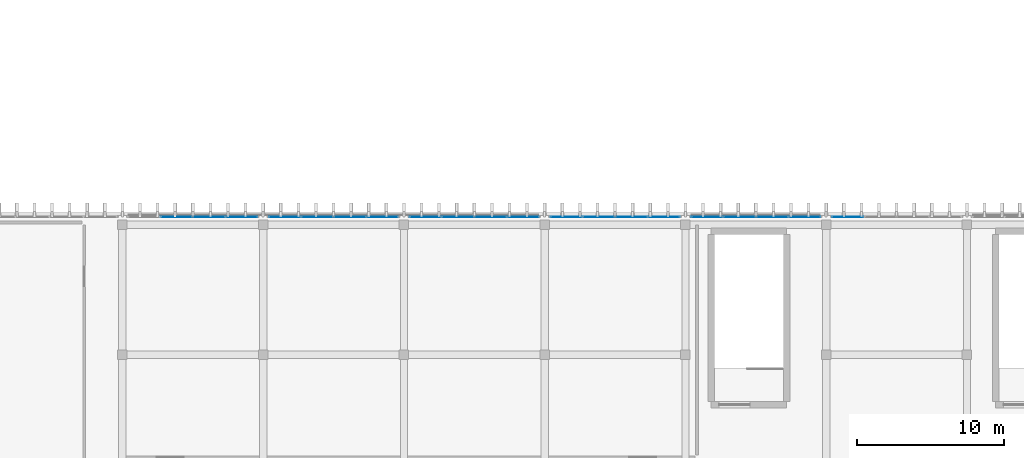
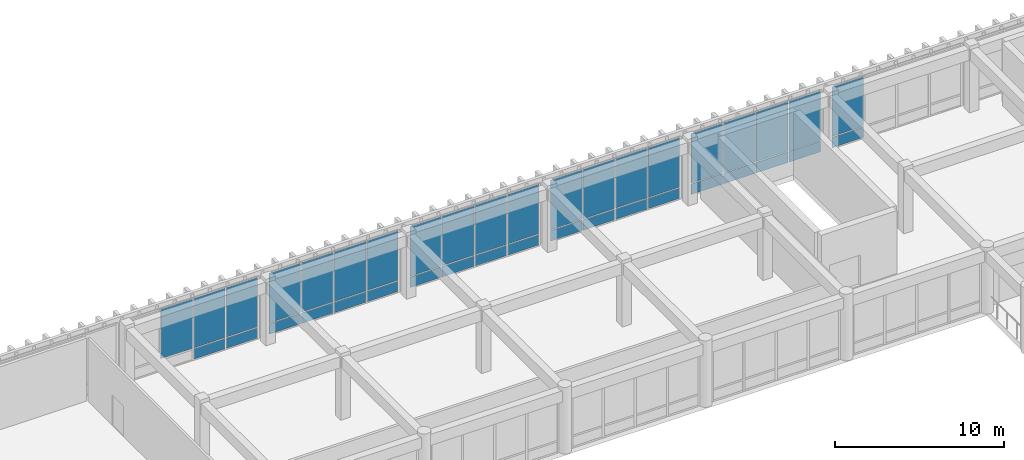
# One storey, part 66 of 101: 39 plates, 6 elements without a shape of their own.
"""IFC4 building model written with IfcOpenShell, lengths in metres."""

import ifcopenshell
import ifcopenshell.guid

model = None  # the IFC model being written
_history = None  # IfcOwnerHistory: only IFC2X3 demands one
_inside = {}  # id of a spatial element -> (the spatial element, [elements in it])
_under = {}  # id of a project, library or spatial element -> (it, [spatial elements below it])
_declared = {}  # id of a project -> (the project, [libraries it declares])
_typed = {}  # id of a type object -> (the type object, [elements of that type])
_made_of = {}  # id of a material, layer set ... -> (it, [elements and type objects made of it])


def new_model(schema):
    """Start an empty IFC model of exactly this schema.

    Asked for "IFC4X3", IfcOpenShell would pick the latest addendum, in which some entities
    have other attributes; the version numbers below select the first issue.
    IFC2X3 requires an IfcOwnerHistory on every rooted entity: one is made here for all.
    """
    global model, _history
    if schema == "IFC4X3":
        model = ifcopenshell.file(schema_version=(4, 3, 0, 0))
    else:
        model = ifcopenshell.file(schema=schema)
    _inside.clear()
    _under.clear()
    _declared.clear()
    _typed.clear()
    _made_of.clear()
    _history = None
    if model.schema == "IFC2X3":
        org = make("IfcOrganization", Name="unknown")
        user = make(
            "IfcPersonAndOrganization",
            ThePerson=make("IfcPerson", FamilyName="unknown"),
            TheOrganization=org,
        )
        app = make(
            "IfcApplication",
            ApplicationDeveloper=org,
            Version="unknown",
            ApplicationFullName="unknown",
            ApplicationIdentifier="unknown",
        )
        _history = make(
            "IfcOwnerHistory",
            OwningUser=user,
            OwningApplication=app,
            ChangeAction="ADDED",
            CreationDate=0,
        )
    return model


def make(cls, **values):
    """One entity of the class cls with the attributes given. An attribute that is None is left unset."""
    return model.create_entity(
        cls, **{name: value for name, value in values.items() if value is not None}
    )


def rooted(cls, **values):
    """An entity with a GlobalId (a new one), such as an element, a storey or a relation."""
    return make(cls, GlobalId=ifcopenshell.guid.new(), OwnerHistory=_history, **values)


def si_unit(unit_type, name, prefix=None):
    """IfcSIUnit, for example si_unit("LENGTHUNIT", "METRE", prefix="MILLI")."""
    return make("IfcSIUnit", UnitType=unit_type, Prefix=prefix, Name=name)


def assignment(units):
    """IfcUnitAssignment: the units of a project."""
    return None if units is None else make("IfcUnitAssignment", Units=units)


def point(xyz):
    """IfcCartesianPoint."""
    return None if xyz is None else make("IfcCartesianPoint", Coordinates=xyz)


def direction(xyz):
    """IfcDirection."""
    return None if xyz is None else make("IfcDirection", DirectionRatios=xyz)


def frame(location, z_axis=None, x_axis=None):
    """IfcAxis2Placement3D, a coordinate frame: its origin and axes. An axis left out is left unset."""
    return make(
        "IfcAxis2Placement3D",
        Location=point(location),
        Axis=direction(z_axis),
        RefDirection=direction(x_axis),
    )


def frame_2d(location, x_axis=None):
    """IfcAxis2Placement2D, a coordinate frame in the plane: its origin and x axis."""
    return make(
        "IfcAxis2Placement2D", Location=point(location), RefDirection=direction(x_axis)
    )


def origin():
    """The frame at (0, 0, 0) with its axes left unset."""
    return frame((0.0, 0.0, 0.0))


def origin_2d():
    """The frame at (0, 0) in the plane with its x axis left unset."""
    return frame_2d((0.0, 0.0))


def place(relative_to, where):
    """IfcLocalPlacement: puts the frame where relative to a parent placement (None: the world)."""
    return make(
        "IfcLocalPlacement", PlacementRelTo=relative_to, RelativePlacement=where
    )


def context(
    kind, dimensions, precision=None, world=None, true_north=None, identifier=None
):
    """IfcGeometricRepresentationContext, for example the 3D "Model" context."""
    return make(
        "IfcGeometricRepresentationContext",
        ContextIdentifier=identifier,
        ContextType=kind,
        CoordinateSpaceDimension=dimensions,
        Precision=precision,
        WorldCoordinateSystem=world,
        TrueNorth=true_north,
    )


def subcontext(parent, identifier, kind, view, scale=None):
    """IfcGeometricRepresentationSubContext, for example "Body" below "Model"."""
    return make(
        "IfcGeometricRepresentationSubContext",
        ContextIdentifier=identifier,
        ContextType=kind,
        ParentContext=parent,
        TargetScale=scale,
        TargetView=view,
    )


def project(units=None, contexts=None):
    """IfcProject with its units and contexts."""
    return rooted(
        "IfcProject",
        Name="project",
        RepresentationContexts=contexts,
        UnitsInContext=assignment(units),
    )


def spatial(cls, under=None, at=None, **own):
    """A site, building, storey or space (cls), placed at a placement, below another one or the project."""
    s = rooted(cls, ObjectPlacement=at, **own)
    if under is not None:
        _under.setdefault(under.id(), (under, []))[1].append(s)
    return s


def profile(cls, at=None, kind="AREA", **sizes):
    """A parametric profile (cls). Its sizes go by their IFC names, for example OverallWidth=200.0."""
    return make(cls, ProfileType=kind, Position=at, **sizes)


def rectangle(**sizes):
    """IfcRectangleProfileDef."""
    return profile("IfcRectangleProfileDef", **sizes)


def extrude(swept, where, along, depth):
    """IfcExtrudedAreaSolid: the profile swept, set in the frame where, extruded along a direction by depth."""
    return make(
        "IfcExtrudedAreaSolid",
        SweptArea=swept,
        Position=where,
        ExtrudedDirection=direction(along),
        Depth=depth,
    )


def shape(context_of_items, identifier, shape_type, items):
    """IfcShapeRepresentation: the items that make up one representation, for example the "Body"."""
    return make(
        "IfcShapeRepresentation",
        ContextOfItems=context_of_items,
        RepresentationIdentifier=identifier,
        RepresentationType=shape_type,
        Items=items,
    )


def material(Name=None, Category=None):
    """IfcMaterial."""
    return make("IfcMaterial", Name=Name, Category=Category)


def layer(
    of_material, thickness, ventilated=None, Name=None, Category=None, Priority=None
):
    """IfcMaterialLayer: one layer of a wall or slab, of a material (None: an air gap)."""
    return make(
        "IfcMaterialLayer",
        Material=of_material,
        LayerThickness=thickness,
        IsVentilated=ventilated,
        Name=Name,
        Category=Category,
        Priority=Priority,
    )


def layer_set(layers, Name=None):
    """IfcMaterialLayerSet."""
    return make("IfcMaterialLayerSet", MaterialLayers=layers, LayerSetName=Name)


def made_of(thing, what):
    """Note that an element or type object is made of a material, layer set ...; save() writes the relation."""
    if what is not None:
        _made_of.setdefault(what.id(), (what, []))[1].append(thing)
    return thing


def type_object(cls, material=None, **own):
    """A type object (cls), such as IfcWallType, which elements share."""
    return made_of(rooted(cls, **own), material)


def element(
    cls,
    number,
    at=None,
    inside=None,
    cuts=None,
    type_object=None,
    material=None,
    context=None,
    identifier="Body",
    shape_type=None,
    held_by="IfcProductDefinitionShape",
    body=None,
    shapes=None,
    **own,
):
    """One element of the class cls, such as IfcWall. Its Tag is "e" and its number.

    at: its placement. inside: the storey or other place that contains it. cuts: it is an
    opening in that element (IfcRelVoidsElement). A single representation is given by context,
    identifier, shape_type and body (its items); several are given by shapes. held_by: the class
    of the entity that holds the representations. save() writes the other relations.
    """
    e = rooted(cls, Tag="e%d" % number, ObjectPlacement=at, **own)
    if body is not None:
        shapes = [shape(context, identifier, shape_type, body)]
    if shapes is not None:
        e.Representation = make(held_by, Representations=shapes)
    if inside is not None:
        _inside.setdefault(inside.id(), (inside, []))[1].append(e)
    if cuts is not None:
        rooted(
            "IfcRelVoidsElement", RelatingBuildingElement=cuts, RelatedOpeningElement=e
        )
    if type_object is not None:
        _typed.setdefault(type_object.id(), (type_object, []))[1].append(e)
    return made_of(e, material)


def aggregate(whole, parts):
    """IfcRelAggregates: a whole, such as a stair, and the parts it consists of."""
    return rooted("IfcRelAggregates", RelatingObject=whole, RelatedObjects=parts)


def save(model, path):
    """Write the relations noted so far, then the file.

    IfcRelAggregates (storeys below a building ...), IfcRelContainedInSpatialStructure (elements
    in a storey), IfcRelDefinesByType, IfcRelAssociatesMaterial and IfcRelDeclares: one each for
    every whole, place, type object, material and project.
    """
    for whole, parts in _under.values():
        aggregate(whole, parts)
    for where, things in _inside.values():
        rooted(
            "IfcRelContainedInSpatialStructure",
            RelatedElements=things,
            RelatingStructure=where,
        )
    for kind, things in _typed.values():
        rooted("IfcRelDefinesByType", RelatedObjects=things, RelatingType=kind)
    for what, things in _made_of.values():
        rooted("IfcRelAssociatesMaterial", RelatedObjects=things, RelatingMaterial=what)
    for by, libraries in _declared.values():
        rooted("IfcRelDeclares", RelatingContext=by, RelatedDefinitions=libraries)
    model.write(path)


model = new_model("IFC4")

# Units and contexts
model_context = context("Model", 3, precision=1e-05, world=origin(), true_north=direction((0.0, 1.0)))
body_context = subcontext(model_context, "Body", "Model", "MODEL_VIEW")
ifc_project = project(units=[si_unit("LENGTHUNIT", "METRE"), si_unit("AREAUNIT", "SQUARE_METRE"), si_unit("VOLUMEUNIT", "CUBIC_METRE"), si_unit("PLANEANGLEUNIT", "RADIAN"), si_unit("MASSUNIT", "GRAM", prefix="KILO")], contexts=[model_context])

# Site, building, storey
site_placement = place(None, origin())
site = spatial("IfcSite", under=ifc_project, at=site_placement, CompositionType="ELEMENT")
building_placement = place(site_placement, origin())
building = spatial("IfcBuilding", under=site, at=building_placement, Name="Nakhvara Creek Congress Hotel", CompositionType="ELEMENT")
storey_placement = place(building_placement, frame((0.0, 0.0, 16.199951171875)))
storey = spatial("IfcBuildingStorey", under=building, at=storey_placement, Name="L03", CompositionType="ELEMENT", Elevation=16.199951171875)

# Curtain wall, plates
ifc_material_1 = material(Name="Bronze-anodised aluminium AW-6063-T6 and double-silver low-E glass", Category="aluminium")
ifc_layer = layer(ifc_material_1, 0.199951171875)
ifc_layer_set = layer_set([ifc_layer], Name="Bronze-anodised aluminium AW-6063-T6 and double-silver low-E glass")
curtain_wall_type = type_object("IfcCurtainWallType", Name="CW-POD-STICK", PredefinedType="NOTDEFINED", material=ifc_layer_set)
curtain_wall_1_placement = place(storey_placement, origin())
curtain_wall_1 = element("IfcCurtainWall", 1, at=curtain_wall_1_placement, inside=storey, type_object=curtain_wall_type, Name="Curtain Wall CW099", PredefinedType="NOTDEFINED")
ifc_material_2 = material(Name="Double-silver solar-control low-E insulated glass", Category="glass")
plate_type = type_object("IfcPlateType", Name="PNL-GLZ-240X260", PredefinedType="CURTAIN_PANEL", material=ifc_material_2)
plate_1_placement = place(storey_placement, frame((80.485107421875, 95.800048828125, 0.882568359375), z_axis=(0.0, 0.0, 1.0), x_axis=(1.0, 0.0, 0.0)))
plate_1 = element("IfcPlate", 2, at=plate_1_placement, type_object=plate_type, Name="CW099 panel 2.2", PredefinedType="CURTAIN_PANEL", context=body_context, shape_type="SweptSolid", body=[
    extrude(rectangle(XDim=2.1650390625, YDim=0.030029296875, at=origin_2d()), origin(), (0.0, 0.0, 1.0), 3.5625),
])
plate_2_placement = place(storey_placement, frame((82.715087890625, 95.800048828125, 0.065185546875), z_axis=(0.0, 0.0, 1.0), x_axis=(1.0, 0.0, 0.0)))
plate_2 = element("IfcPlate", 3, at=plate_2_placement, type_object=plate_type, Name="CW099 panel 3.1", PredefinedType="CURTAIN_PANEL", context=body_context, shape_type="SweptSolid", body=[
    extrude(rectangle(XDim=2.1650390625, YDim=0.030029296875, at=origin_2d()), origin(), (0.0, 0.0, 1.0), 0.75244140625),
])
plate_3_placement = place(storey_placement, frame((82.715087890625, 95.800048828125, 0.882568359375), z_axis=(0.0, 0.0, 1.0), x_axis=(1.0, 0.0, 0.0)))
plate_3 = element("IfcPlate", 4, at=plate_3_placement, type_object=plate_type, Name="CW099 panel 3.2", PredefinedType="CURTAIN_PANEL", context=body_context, shape_type="SweptSolid", body=[
    extrude(rectangle(XDim=2.1650390625, YDim=0.030029296875, at=origin_2d()), origin(), (0.0, 0.0, 1.0), 3.5625),
])
plate_4_placement = place(storey_placement, frame((84.9287109375, 95.800048828125, 0.065185546875), z_axis=(0.0, 0.0, 1.0), x_axis=(1.0, 0.0, 0.0)))
plate_4 = element("IfcPlate", 5, at=plate_4_placement, type_object=plate_type, Name="CW099 panel 4.1", PredefinedType="CURTAIN_PANEL", context=body_context, shape_type="SweptSolid", body=[
    extrude(rectangle(XDim=2.132568359375, YDim=0.030029296875, at=origin_2d()), origin(), (0.0, 0.0, 1.0), 0.75244140625),
])
plate_5_placement = place(storey_placement, frame((84.9287109375, 95.800048828125, 0.882568359375), z_axis=(0.0, 0.0, 1.0), x_axis=(1.0, 0.0, 0.0)))
plate_5 = element("IfcPlate", 6, at=plate_5_placement, type_object=plate_type, Name="CW099 panel 4.2", PredefinedType="CURTAIN_PANEL", context=body_context, shape_type="SweptSolid", body=[
    extrude(rectangle(XDim=2.132568359375, YDim=0.030029296875, at=origin_2d()), origin(), (0.0, 0.0, 1.0), 3.5625),
])
aggregate(curtain_wall_1, [plate_1, plate_2, plate_3, plate_4, plate_5])

curtain_wall_2_placement = place(storey_placement, origin())
curtain_wall_2 = element("IfcCurtainWall", 7, at=curtain_wall_2_placement, inside=storey, type_object=curtain_wall_type, Name="Curtain Wall CW100", PredefinedType="NOTDEFINED")
plate_6_placement = place(storey_placement, frame((87.871337890625, 95.800048828125, 0.065185546875), z_axis=(0.0, 0.0, 1.0), x_axis=(1.0, 0.0, 0.0)))
plate_6 = element("IfcPlate", 8, at=plate_6_placement, type_object=plate_type, Name="CW100 panel 1.1", PredefinedType="CURTAIN_PANEL", context=body_context, shape_type="SweptSolid", body=[
    extrude(rectangle(XDim=2.132568359375, YDim=0.030029296875, at=origin_2d()), origin(), (0.0, 0.0, 1.0), 0.75244140625),
])
plate_7_placement = place(storey_placement, frame((87.871337890625, 95.800048828125, 0.882568359375), z_axis=(0.0, 0.0, 1.0), x_axis=(1.0, 0.0, 0.0)))
plate_7 = element("IfcPlate", 9, at=plate_7_placement, type_object=plate_type, Name="CW100 panel 1.2", PredefinedType="CURTAIN_PANEL", context=body_context, shape_type="SweptSolid", body=[
    extrude(rectangle(XDim=2.132568359375, YDim=0.030029296875, at=origin_2d()), origin(), (0.0, 0.0, 1.0), 3.5625),
])
plate_8_placement = place(storey_placement, frame((90.0849609375, 95.800048828125, 0.065185546875), z_axis=(0.0, 0.0, 1.0), x_axis=(1.0, 0.0, 0.0)))
plate_8 = element("IfcPlate", 10, at=plate_8_placement, type_object=plate_type, Name="CW100 panel 2.1", PredefinedType="CURTAIN_PANEL", context=body_context, shape_type="SweptSolid", body=[
    extrude(rectangle(XDim=2.1650390625, YDim=0.030029296875, at=origin_2d()), origin(), (0.0, 0.0, 1.0), 0.75244140625),
])
plate_9_placement = place(storey_placement, frame((90.0849609375, 95.800048828125, 0.882568359375), z_axis=(0.0, 0.0, 1.0), x_axis=(1.0, 0.0, 0.0)))
plate_9 = element("IfcPlate", 11, at=plate_9_placement, type_object=plate_type, Name="CW100 panel 2.2", PredefinedType="CURTAIN_PANEL", context=body_context, shape_type="SweptSolid", body=[
    extrude(rectangle(XDim=2.1650390625, YDim=0.030029296875, at=origin_2d()), origin(), (0.0, 0.0, 1.0), 3.5625),
])
plate_10_placement = place(storey_placement, frame((92.31494140625, 95.800048828125, 0.065185546875), z_axis=(0.0, 0.0, 1.0), x_axis=(1.0, 0.0, 0.0)))
plate_10 = element("IfcPlate", 12, at=plate_10_placement, type_object=plate_type, Name="CW100 panel 3.1", PredefinedType="CURTAIN_PANEL", context=body_context, shape_type="SweptSolid", body=[
    extrude(rectangle(XDim=2.1650390625, YDim=0.030029296875, at=origin_2d()), origin(), (0.0, 0.0, 1.0), 0.75244140625),
])
plate_11_placement = place(storey_placement, frame((92.31494140625, 95.800048828125, 0.882568359375), z_axis=(0.0, 0.0, 1.0), x_axis=(1.0, 0.0, 0.0)))
plate_11 = element("IfcPlate", 13, at=plate_11_placement, type_object=plate_type, Name="CW100 panel 3.2", PredefinedType="CURTAIN_PANEL", context=body_context, shape_type="SweptSolid", body=[
    extrude(rectangle(XDim=2.1650390625, YDim=0.030029296875, at=origin_2d()), origin(), (0.0, 0.0, 1.0), 3.5625),
])
plate_12_placement = place(storey_placement, frame((94.52880859375, 95.800048828125, 0.065185546875), z_axis=(0.0, 0.0, 1.0), x_axis=(1.0, 0.0, 0.0)))
plate_12 = element("IfcPlate", 14, at=plate_12_placement, type_object=plate_type, Name="CW100 panel 4.1", PredefinedType="CURTAIN_PANEL", context=body_context, shape_type="SweptSolid", body=[
    extrude(rectangle(XDim=2.132568359375, YDim=0.030029296875, at=origin_2d()), origin(), (0.0, 0.0, 1.0), 0.75244140625),
])
plate_13_placement = place(storey_placement, frame((94.52880859375, 95.800048828125, 0.882568359375), z_axis=(0.0, 0.0, 1.0), x_axis=(1.0, 0.0, 0.0)))
plate_13 = element("IfcPlate", 15, at=plate_13_placement, type_object=plate_type, Name="CW100 panel 4.2", PredefinedType="CURTAIN_PANEL", context=body_context, shape_type="SweptSolid", body=[
    extrude(rectangle(XDim=2.132568359375, YDim=0.030029296875, at=origin_2d()), origin(), (0.0, 0.0, 1.0), 3.5625),
])
aggregate(curtain_wall_2, [plate_6, plate_7, plate_8, plate_9, plate_10, plate_11, plate_12, plate_13])

curtain_wall_3_placement = place(storey_placement, origin())
curtain_wall_3 = element("IfcCurtainWall", 16, at=curtain_wall_3_placement, inside=storey, type_object=curtain_wall_type, Name="Curtain Wall CW101", PredefinedType="NOTDEFINED")
plate_14_placement = place(storey_placement, frame((97.47119140625, 95.800048828125, 0.065185546875), z_axis=(0.0, 0.0, 1.0), x_axis=(1.0, 0.0, 0.0)))
plate_14 = element("IfcPlate", 17, at=plate_14_placement, type_object=plate_type, Name="CW101 panel 1.1", PredefinedType="CURTAIN_PANEL", context=body_context, shape_type="SweptSolid", body=[
    extrude(rectangle(XDim=2.132568359375, YDim=0.030029296875, at=origin_2d()), origin(), (0.0, 0.0, 1.0), 0.75244140625),
])
plate_15_placement = place(storey_placement, frame((97.47119140625, 95.800048828125, 0.882568359375), z_axis=(0.0, 0.0, 1.0), x_axis=(1.0, 0.0, 0.0)))
plate_15 = element("IfcPlate", 18, at=plate_15_placement, type_object=plate_type, Name="CW101 panel 1.2", PredefinedType="CURTAIN_PANEL", context=body_context, shape_type="SweptSolid", body=[
    extrude(rectangle(XDim=2.132568359375, YDim=0.030029296875, at=origin_2d()), origin(), (0.0, 0.0, 1.0), 3.5625),
])
plate_16_placement = place(storey_placement, frame((99.68505859375, 95.800048828125, 0.065185546875), z_axis=(0.0, 0.0, 1.0), x_axis=(1.0, 0.0, 0.0)))
plate_16 = element("IfcPlate", 19, at=plate_16_placement, type_object=plate_type, Name="CW101 panel 2.1", PredefinedType="CURTAIN_PANEL", context=body_context, shape_type="SweptSolid", body=[
    extrude(rectangle(XDim=2.1650390625, YDim=0.030029296875, at=origin_2d()), origin(), (0.0, 0.0, 1.0), 0.75244140625),
])
plate_17_placement = place(storey_placement, frame((99.68505859375, 95.800048828125, 0.882568359375), z_axis=(0.0, 0.0, 1.0), x_axis=(1.0, 0.0, 0.0)))
plate_17 = element("IfcPlate", 20, at=plate_17_placement, type_object=plate_type, Name="CW101 panel 2.2", PredefinedType="CURTAIN_PANEL", context=body_context, shape_type="SweptSolid", body=[
    extrude(rectangle(XDim=2.1650390625, YDim=0.030029296875, at=origin_2d()), origin(), (0.0, 0.0, 1.0), 3.5625),
])
plate_18_placement = place(storey_placement, frame((101.9150390625, 95.800048828125, 0.065185546875), z_axis=(0.0, 0.0, 1.0), x_axis=(1.0, 0.0, 0.0)))
plate_18 = element("IfcPlate", 21, at=plate_18_placement, type_object=plate_type, Name="CW101 panel 3.1", PredefinedType="CURTAIN_PANEL", context=body_context, shape_type="SweptSolid", body=[
    extrude(rectangle(XDim=2.1650390625, YDim=0.030029296875, at=origin_2d()), origin(), (0.0, 0.0, 1.0), 0.75244140625),
])
plate_19_placement = place(storey_placement, frame((101.9150390625, 95.800048828125, 0.882568359375), z_axis=(0.0, 0.0, 1.0), x_axis=(1.0, 0.0, 0.0)))
plate_19 = element("IfcPlate", 22, at=plate_19_placement, type_object=plate_type, Name="CW101 panel 3.2", PredefinedType="CURTAIN_PANEL", context=body_context, shape_type="SweptSolid", body=[
    extrude(rectangle(XDim=2.1650390625, YDim=0.030029296875, at=origin_2d()), origin(), (0.0, 0.0, 1.0), 3.5625),
])
plate_20_placement = place(storey_placement, frame((104.128662109375, 95.800048828125, 0.065185546875), z_axis=(0.0, 0.0, 1.0), x_axis=(1.0, 0.0, 0.0)))
plate_20 = element("IfcPlate", 23, at=plate_20_placement, type_object=plate_type, Name="CW101 panel 4.1", PredefinedType="CURTAIN_PANEL", context=body_context, shape_type="SweptSolid", body=[
    extrude(rectangle(XDim=2.132568359375, YDim=0.030029296875, at=origin_2d()), origin(), (0.0, 0.0, 1.0), 0.75244140625),
])
plate_21_placement = place(storey_placement, frame((104.128662109375, 95.800048828125, 0.882568359375), z_axis=(0.0, 0.0, 1.0), x_axis=(1.0, 0.0, 0.0)))
plate_21 = element("IfcPlate", 24, at=plate_21_placement, type_object=plate_type, Name="CW101 panel 4.2", PredefinedType="CURTAIN_PANEL", context=body_context, shape_type="SweptSolid", body=[
    extrude(rectangle(XDim=2.132568359375, YDim=0.030029296875, at=origin_2d()), origin(), (0.0, 0.0, 1.0), 3.5625),
])
aggregate(curtain_wall_3, [plate_14, plate_15, plate_16, plate_17, plate_18, plate_19, plate_20, plate_21])

curtain_wall_4_placement = place(storey_placement, origin())
curtain_wall_4 = element("IfcCurtainWall", 25, at=curtain_wall_4_placement, inside=storey, type_object=curtain_wall_type, Name="Curtain Wall CW102", PredefinedType="NOTDEFINED")
plate_22_placement = place(storey_placement, frame((107.0712890625, 95.800048828125, 0.065185546875), z_axis=(0.0, 0.0, 1.0), x_axis=(1.0, 0.0, 0.0)))
plate_22 = element("IfcPlate", 26, at=plate_22_placement, type_object=plate_type, Name="CW102 panel 1.1", PredefinedType="CURTAIN_PANEL", context=body_context, shape_type="SweptSolid", body=[
    extrude(rectangle(XDim=2.132568359375, YDim=0.030029296875, at=origin_2d()), origin(), (0.0, 0.0, 1.0), 0.75244140625),
])
plate_23_placement = place(storey_placement, frame((107.0712890625, 95.800048828125, 0.882568359375), z_axis=(0.0, 0.0, 1.0), x_axis=(1.0, 0.0, 0.0)))
plate_23 = element("IfcPlate", 27, at=plate_23_placement, type_object=plate_type, Name="CW102 panel 1.2", PredefinedType="CURTAIN_PANEL", context=body_context, shape_type="SweptSolid", body=[
    extrude(rectangle(XDim=2.132568359375, YDim=0.030029296875, at=origin_2d()), origin(), (0.0, 0.0, 1.0), 3.5625),
])
plate_24_placement = place(storey_placement, frame((109.284912109375, 95.800048828125, 0.065185546875), z_axis=(0.0, 0.0, 1.0), x_axis=(1.0, 0.0, 0.0)))
plate_24 = element("IfcPlate", 28, at=plate_24_placement, type_object=plate_type, Name="CW102 panel 2.1", PredefinedType="CURTAIN_PANEL", context=body_context, shape_type="SweptSolid", body=[
    extrude(rectangle(XDim=2.1650390625, YDim=0.030029296875, at=origin_2d()), origin(), (0.0, 0.0, 1.0), 0.75244140625),
])
plate_25_placement = place(storey_placement, frame((109.284912109375, 95.800048828125, 0.882568359375), z_axis=(0.0, 0.0, 1.0), x_axis=(1.0, 0.0, 0.0)))
plate_25 = element("IfcPlate", 29, at=plate_25_placement, type_object=plate_type, Name="CW102 panel 2.2", PredefinedType="CURTAIN_PANEL", context=body_context, shape_type="SweptSolid", body=[
    extrude(rectangle(XDim=2.1650390625, YDim=0.030029296875, at=origin_2d()), origin(), (0.0, 0.0, 1.0), 3.5625),
])
plate_26_placement = place(storey_placement, frame((111.514892578125, 95.800048828125, 0.065185546875), z_axis=(0.0, 0.0, 1.0), x_axis=(1.0, 0.0, 0.0)))
plate_26 = element("IfcPlate", 30, at=plate_26_placement, type_object=plate_type, Name="CW102 panel 3.1", PredefinedType="CURTAIN_PANEL", context=body_context, shape_type="SweptSolid", body=[
    extrude(rectangle(XDim=2.1650390625, YDim=0.030029296875, at=origin_2d()), origin(), (0.0, 0.0, 1.0), 0.75244140625),
])
plate_27_placement = place(storey_placement, frame((111.514892578125, 95.800048828125, 0.882568359375), z_axis=(0.0, 0.0, 1.0), x_axis=(1.0, 0.0, 0.0)))
plate_27 = element("IfcPlate", 31, at=plate_27_placement, type_object=plate_type, Name="CW102 panel 3.2", PredefinedType="CURTAIN_PANEL", context=body_context, shape_type="SweptSolid", body=[
    extrude(rectangle(XDim=2.1650390625, YDim=0.030029296875, at=origin_2d()), origin(), (0.0, 0.0, 1.0), 3.5625),
])
plate_28_placement = place(storey_placement, frame((113.728759765625, 95.800048828125, 0.065185546875), z_axis=(0.0, 0.0, 1.0), x_axis=(1.0, 0.0, 0.0)))
plate_28 = element("IfcPlate", 32, at=plate_28_placement, type_object=plate_type, Name="CW102 panel 4.1", PredefinedType="CURTAIN_PANEL", context=body_context, shape_type="SweptSolid", body=[
    extrude(rectangle(XDim=2.132568359375, YDim=0.030029296875, at=origin_2d()), origin(), (0.0, 0.0, 1.0), 0.75244140625),
])
plate_29_placement = place(storey_placement, frame((113.728759765625, 95.800048828125, 0.882568359375), z_axis=(0.0, 0.0, 1.0), x_axis=(1.0, 0.0, 0.0)))
plate_29 = element("IfcPlate", 33, at=plate_29_placement, type_object=plate_type, Name="CW102 panel 4.2", PredefinedType="CURTAIN_PANEL", context=body_context, shape_type="SweptSolid", body=[
    extrude(rectangle(XDim=2.132568359375, YDim=0.030029296875, at=origin_2d()), origin(), (0.0, 0.0, 1.0), 3.5625),
])
aggregate(curtain_wall_4, [plate_22, plate_23, plate_24, plate_25, plate_26, plate_27, plate_28, plate_29])

curtain_wall_5_placement = place(storey_placement, origin())
curtain_wall_5 = element("IfcCurtainWall", 34, at=curtain_wall_5_placement, inside=storey, type_object=curtain_wall_type, Name="Curtain Wall CW103", PredefinedType="NOTDEFINED")
plate_30_placement = place(storey_placement, frame((116.671142578125, 95.800048828125, 0.065185546875), z_axis=(0.0, 0.0, 1.0), x_axis=(1.0, 0.0, 0.0)))
plate_30 = element("IfcPlate", 35, at=plate_30_placement, type_object=plate_type, Name="CW103 panel 1.1", PredefinedType="CURTAIN_PANEL", context=body_context, shape_type="SweptSolid", body=[
    extrude(rectangle(XDim=2.132568359375, YDim=0.030029296875, at=origin_2d()), origin(), (0.0, 0.0, 1.0), 0.75244140625),
])
plate_31_placement = place(storey_placement, frame((116.671142578125, 95.800048828125, 0.882568359375), z_axis=(0.0, 0.0, 1.0), x_axis=(1.0, 0.0, 0.0)))
plate_31 = element("IfcPlate", 36, at=plate_31_placement, type_object=plate_type, Name="CW103 panel 1.2", PredefinedType="CURTAIN_PANEL", context=body_context, shape_type="SweptSolid", body=[
    extrude(rectangle(XDim=2.132568359375, YDim=0.030029296875, at=origin_2d()), origin(), (0.0, 0.0, 1.0), 3.5625),
])
plate_32_placement = place(storey_placement, frame((118.885009765625, 95.800048828125, 0.065185546875), z_axis=(0.0, 0.0, 1.0), x_axis=(1.0, 0.0, 0.0)))
plate_32 = element("IfcPlate", 37, at=plate_32_placement, type_object=plate_type, Name="CW103 panel 2.1", PredefinedType="CURTAIN_PANEL", context=body_context, shape_type="SweptSolid", body=[
    extrude(rectangle(XDim=2.1650390625, YDim=0.030029296875, at=origin_2d()), origin(), (0.0, 0.0, 1.0), 0.75244140625),
])
plate_33_placement = place(storey_placement, frame((118.885009765625, 95.800048828125, 0.882568359375), z_axis=(0.0, 0.0, 1.0), x_axis=(1.0, 0.0, 0.0)))
plate_33 = element("IfcPlate", 38, at=plate_33_placement, type_object=plate_type, Name="CW103 panel 2.2", PredefinedType="CURTAIN_PANEL", context=body_context, shape_type="SweptSolid", body=[
    extrude(rectangle(XDim=2.1650390625, YDim=0.030029296875, at=origin_2d()), origin(), (0.0, 0.0, 1.0), 3.5625),
])
plate_34_placement = place(storey_placement, frame((121.114990234375, 95.800048828125, 0.065185546875), z_axis=(0.0, 0.0, 1.0), x_axis=(1.0, 0.0, 0.0)))
plate_34 = element("IfcPlate", 39, at=plate_34_placement, type_object=plate_type, Name="CW103 panel 3.1", PredefinedType="CURTAIN_PANEL", context=body_context, shape_type="SweptSolid", body=[
    extrude(rectangle(XDim=2.1650390625, YDim=0.030029296875, at=origin_2d()), origin(), (0.0, 0.0, 1.0), 0.75244140625),
])
plate_35_placement = place(storey_placement, frame((121.114990234375, 95.800048828125, 0.882568359375), z_axis=(0.0, 0.0, 1.0), x_axis=(1.0, 0.0, 0.0)))
plate_35 = element("IfcPlate", 40, at=plate_35_placement, type_object=plate_type, Name="CW103 panel 3.2", PredefinedType="CURTAIN_PANEL", context=body_context, shape_type="SweptSolid", body=[
    extrude(rectangle(XDim=2.1650390625, YDim=0.030029296875, at=origin_2d()), origin(), (0.0, 0.0, 1.0), 3.5625),
])
plate_36_placement = place(storey_placement, frame((123.328857421875, 95.800048828125, 0.065185546875), z_axis=(0.0, 0.0, 1.0), x_axis=(1.0, 0.0, 0.0)))
plate_36 = element("IfcPlate", 41, at=plate_36_placement, type_object=plate_type, Name="CW103 panel 4.1", PredefinedType="CURTAIN_PANEL", context=body_context, shape_type="SweptSolid", body=[
    extrude(rectangle(XDim=2.132568359375, YDim=0.030029296875, at=origin_2d()), origin(), (0.0, 0.0, 1.0), 0.75244140625),
])
plate_37_placement = place(storey_placement, frame((123.328857421875, 95.800048828125, 0.882568359375), z_axis=(0.0, 0.0, 1.0), x_axis=(1.0, 0.0, 0.0)))
plate_37 = element("IfcPlate", 42, at=plate_37_placement, type_object=plate_type, Name="CW103 panel 4.2", PredefinedType="CURTAIN_PANEL", context=body_context, shape_type="SweptSolid", body=[
    extrude(rectangle(XDim=2.132568359375, YDim=0.030029296875, at=origin_2d()), origin(), (0.0, 0.0, 1.0), 3.5625),
])
aggregate(curtain_wall_5, [plate_30, plate_31, plate_32, plate_33, plate_34, plate_35, plate_36, plate_37])

curtain_wall_6_placement = place(storey_placement, origin())
curtain_wall_6 = element("IfcCurtainWall", 43, at=curtain_wall_6_placement, inside=storey, type_object=curtain_wall_type, Name="Curtain Wall CW104", PredefinedType="NOTDEFINED")
plate_38_placement = place(storey_placement, frame((126.271240234375, 95.800048828125, 0.065185546875), z_axis=(0.0, 0.0, 1.0), x_axis=(1.0, 0.0, 0.0)))
plate_38 = element("IfcPlate", 44, at=plate_38_placement, type_object=plate_type, Name="CW104 panel 1.1", PredefinedType="CURTAIN_PANEL", context=body_context, shape_type="SweptSolid", body=[
    extrude(rectangle(XDim=2.132568359375, YDim=0.030029296875, at=origin_2d()), origin(), (0.0, 0.0, 1.0), 0.75244140625),
])
plate_39_placement = place(storey_placement, frame((126.271240234375, 95.800048828125, 0.882568359375), z_axis=(0.0, 0.0, 1.0), x_axis=(1.0, 0.0, 0.0)))
plate_39 = element("IfcPlate", 45, at=plate_39_placement, type_object=plate_type, Name="CW104 panel 1.2", PredefinedType="CURTAIN_PANEL", context=body_context, shape_type="SweptSolid", body=[
    extrude(rectangle(XDim=2.132568359375, YDim=0.030029296875, at=origin_2d()), origin(), (0.0, 0.0, 1.0), 3.5625),
])
aggregate(curtain_wall_6, [plate_38, plate_39])

save(model, "model.ifc")
